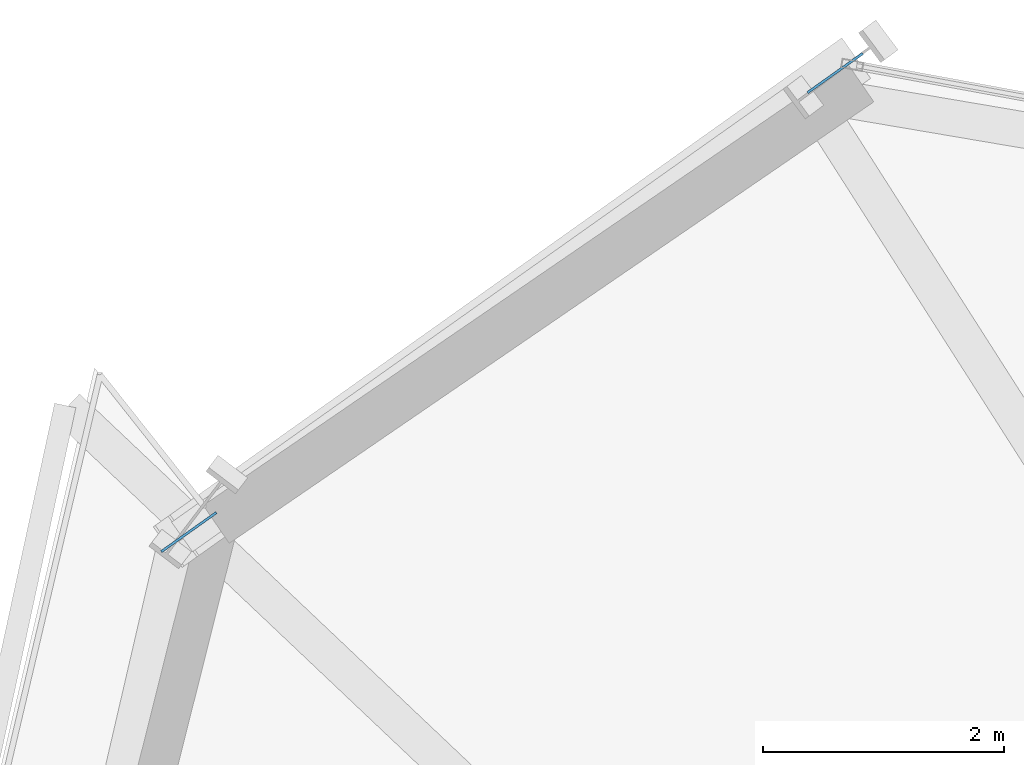
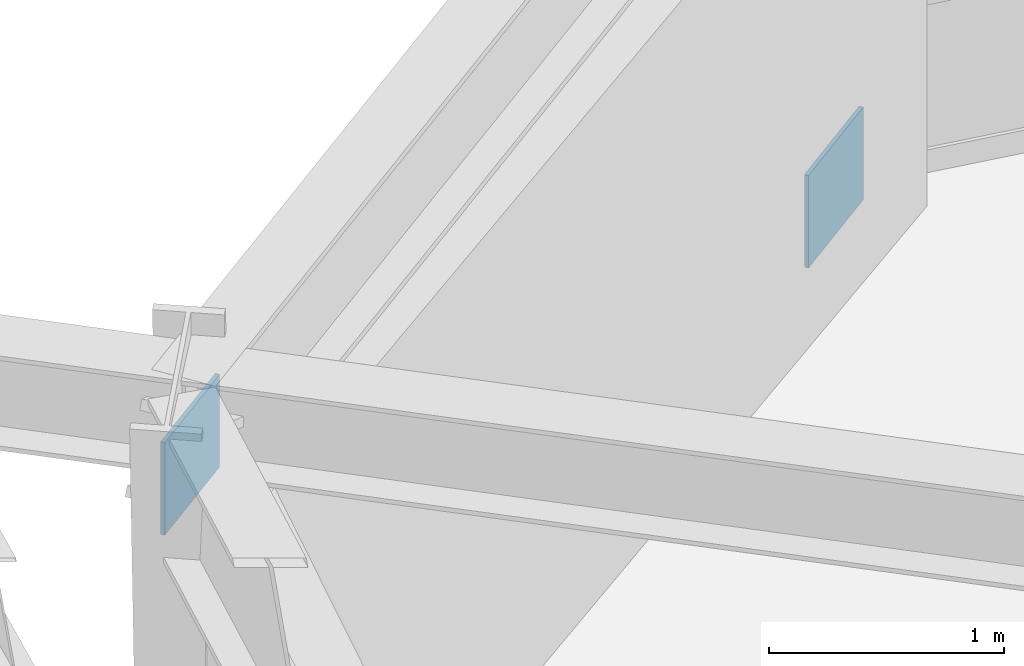
# One storey, part 14 of 20: 2 plates.
"""IFC4 building model written with IfcOpenShell, lengths in metres."""

from ifc_helpers import new_model, si_unit, direction, frame, origin, origin_2d, place, context, subcontext, project, spatial, rectangle, extrude, source, transform, mapped, material, type_object, element, save


model = new_model("IFC4")

# Units and contexts
model_context = context("Model", 3, precision=1e-05, world=origin(), true_north=direction((0.0, 1.0)))
body_context = subcontext(model_context, "Body", "Model", "MODEL_VIEW")
ifc_project = project(units=[si_unit("LENGTHUNIT", "METRE"), si_unit("AREAUNIT", "SQUARE_METRE"), si_unit("VOLUMEUNIT", "CUBIC_METRE"), si_unit("PLANEANGLEUNIT", "RADIAN"), si_unit("MASSUNIT", "GRAM", prefix="KILO")], contexts=[model_context])

# Site, building, storey
site_placement = place(None, origin())
site = spatial("IfcSite", under=ifc_project, at=site_placement, CompositionType="ELEMENT")
building_placement = place(site_placement, origin())
building = spatial("IfcBuilding", under=site, at=building_placement, Name="Olszyna Solenne Hotel", CompositionType="ELEMENT")
storey_placement = place(building_placement, frame((0.0, 0.0, 43.5)))
storey = spatial("IfcBuildingStorey", under=building, at=storey_placement, Name="L10", CompositionType="ELEMENT", Elevation=43.5)

# Plates
ifc_material = material(Name="Steel S355J2", Category="steel")
plate_type = type_object("IfcPlateType", Name="GP-ND2", PredefinedType="USERDEFINED", material=ifc_material)
shared_shape = source(origin(), body_context, "Body", "SweptSolid", [
    extrude(rectangle(XDim=0.56005859375, YDim=0.02001953125, at=origin_2d()), origin(), (0.0, 0.0, 1.0), 0.47998046875),
])
for number, where, z_axis, x_axis, name in (
    (1, (25.009765625, 47.46728515625, -0.17529296875), (0.0, 0.0, 1.0), (-0.81522888695, -0.579138896882, 0.0), "Brace end connection gusset plate GP-ND2 EP-BR-L10-2-1"),
    (2, (19.654541015625, 43.66357421875, 2.6201171875), (0.0, 0.0, 1.0), (-0.81522888695, -0.579138896882, 0.0), "Brace end connection gusset plate GP-ND2 EP-BR-L10-2-2"),
):
    element("IfcPlate", number, at=place(storey_placement, frame(where, z_axis=z_axis, x_axis=x_axis)), inside=storey, type_object=plate_type, Name=name, ObjectType="GUSSET_PLATE", PredefinedType="USERDEFINED", context=body_context, shape_type="MappedRepresentation", body=[
        mapped(shared_shape, transform((0.0, 0.0, 0.0), x_axis=(1.0, 0.0, 0.0), y_axis=(0.0, 1.0, 0.0), z_axis=(0.0, 0.0, 1.0), scale=1.0)),
    ])

save(model, "model.ifc")
